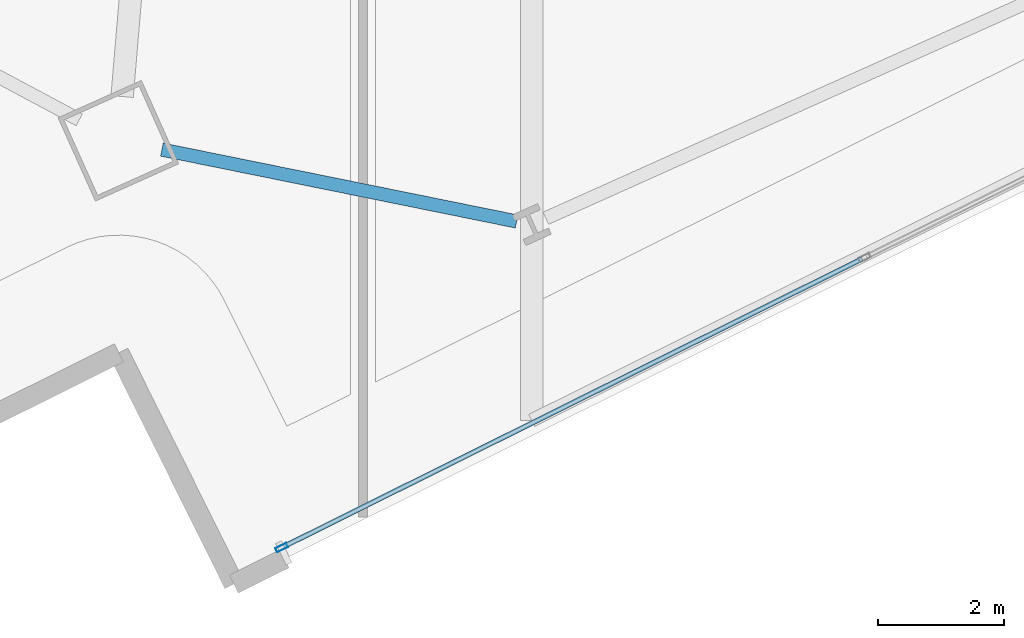
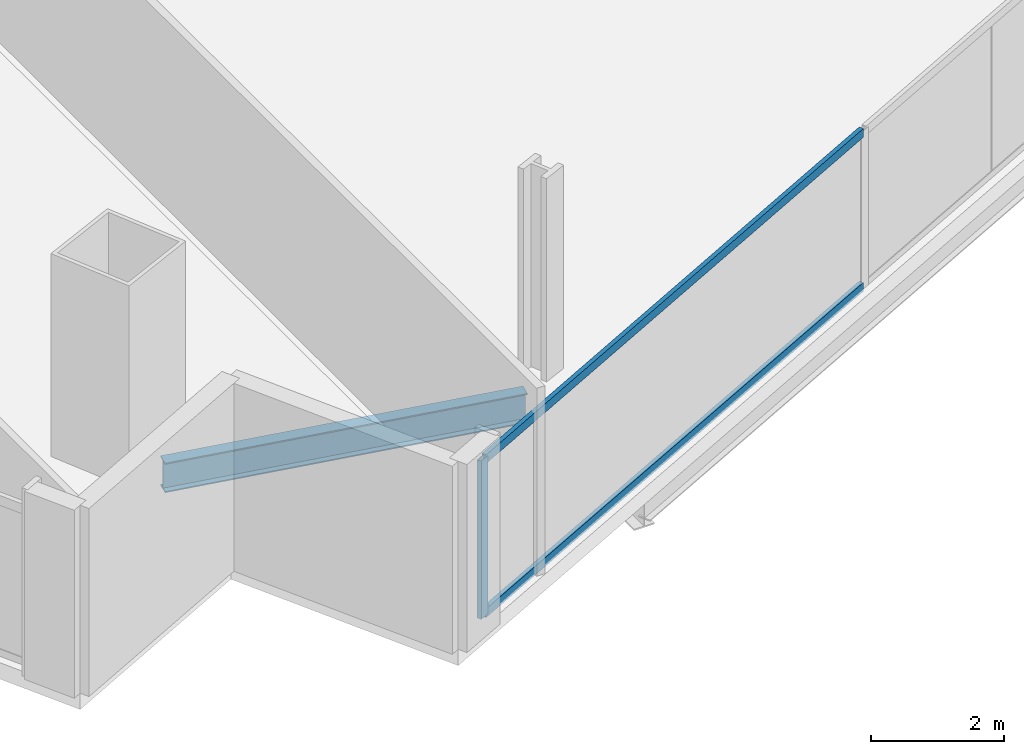
# One storey, part 3 of 35: 3 members, 1 beam, 1 element without a shape of its own.
"""IFC4 building model written with IfcOpenShell, lengths in metres."""

from ifc_helpers import new_model, si_unit, direction, frame, origin, origin_2d, place, context, subcontext, project, spatial, hollow_rectangle, i_section, extrude, material, material_profile, profile_set, type_object, element, aggregate, save


model = new_model("IFC4")

# Units and contexts
model_context = context("Model", 3, precision=1e-05, world=origin(), true_north=direction((0.0, 1.0)))
body_context = subcontext(model_context, "Body", "Model", "MODEL_VIEW")
ifc_project = project(units=[si_unit("LENGTHUNIT", "METRE"), si_unit("AREAUNIT", "SQUARE_METRE"), si_unit("VOLUMEUNIT", "CUBIC_METRE"), si_unit("PLANEANGLEUNIT", "RADIAN"), si_unit("MASSUNIT", "GRAM", prefix="KILO")], contexts=[model_context])

# Site, building, storey
site_placement = place(None, origin())
site = spatial("IfcSite", under=ifc_project, at=site_placement, CompositionType="ELEMENT")
building_placement = place(site_placement, origin())
building = spatial("IfcBuilding", under=site, at=building_placement, Name="Haldenkirk Collegiate Tower", CompositionType="ELEMENT")
storey_placement = place(building_placement, frame((0.0, 0.0, 116.699951171875)))
storey = spatial("IfcBuildingStorey", under=building, at=storey_placement, Name="L28", CompositionType="ELEMENT", Elevation=116.699951171875)

# Beam
ifc_material_1 = material(Name="Steel ASTM A992 Grade 50", Category="steel")
ifc_material_profile_1 = material_profile(ifc_material_1, i_section(OverallWidth=0.2119140625, OverallDepth=0.5439453125, WebThickness=0.01318359375, FlangeThickness=0.021240234375, at=origin_2d()), Name="W21X83")
ifc_profile_set_1 = profile_set([ifc_material_profile_1], Name="Steel ASTM A992 Grade 50")
beam_type = type_object("IfcBeamType", Name="BM-SPANDREL-W21X83", PredefinedType="SPANDREL", material=ifc_profile_set_1)
beam_placement = place(storey_placement, frame((26.3076171875, 1.477783203125, -0.572021484375), z_axis=(0.980077587146, -0.19861501246, 0.0), x_axis=(0.19861501246, 0.980077587146, 0.0)))
element("IfcBeam", 1, at=beam_placement, inside=storey, type_object=beam_type, Name="L28 perimeter spandrel beam 01", PredefinedType="SPANDREL", context=body_context, shape_type="SweptSolid", body=[
    extrude(i_section(OverallWidth=0.2119140625, OverallDepth=0.5439453125, WebThickness=0.01318359375, FlangeThickness=0.021240234375, at=origin_2d()), origin(), (0.0, 0.0, 1.0), 5.747802734375),
])

# Curtain wall, members
ifc_material_2 = material(Name="Anodised architectural bronze aluminium", Category="aluminium")
curtain_wall_type = type_object("IfcCurtainWallType", Name="CW-SYS2-CONCAVE", PredefinedType="USERDEFINED", material=ifc_material_2)
curtain_wall_placement = place(storey_placement, origin())
curtain_wall = element("IfcCurtainWall", 2, at=curtain_wall_placement, inside=storey, type_object=curtain_wall_type, Name="L28 South concave recessed bronze-anodised curtain wall", ObjectType="UNITISED CURTAIN WALL", PredefinedType="USERDEFINED")
ifc_material_profile_2 = material_profile(ifc_material_2, hollow_rectangle(XDim=0.074951171875, YDim=0.18994140625, WallThickness=0.0048828125, at=origin_2d()), Name="CW-MUL-02")
ifc_profile_set_2 = profile_set([ifc_material_profile_2], Name="Anodised architectural bronze aluminium")
member_type_1 = type_object("IfcMemberType", Name="CW-MUL-02", PredefinedType="MULLION", material=ifc_profile_set_2)
member_1_placement = place(storey_placement, frame((28.210205078125, -4.84326171875, 0.0), z_axis=(0.0, 0.0, 1.0), x_axis=(0.445415099364, -0.895324181098, 0.0)))
member_1 = element("IfcMember", 3, at=member_1_placement, type_object=member_type_1, Name="CW-02 mullion 5", PredefinedType="MULLION", context=body_context, shape_type="SweptSolid", body=[
    extrude(hollow_rectangle(XDim=0.074951171875, YDim=0.18994140625, WallThickness=0.0048828125, at=origin_2d()), origin(), (0.0, 0.0, 1.0), 2.901123046875),
])
ifc_material_profile_3 = material_profile(ifc_material_2, hollow_rectangle(XDim=0.074951171875, YDim=0.159912109375, WallThickness=0.0048828125, at=origin_2d()), Name="CW-TRN-02")
ifc_profile_set_3 = profile_set([ifc_material_profile_3], Name="Anodised architectural bronze aluminium")
member_type_2 = type_object("IfcMemberType", Name="CW-TRN-02", PredefinedType="USERDEFINED", material=ifc_profile_set_3)
member_2_placement = place(storey_placement, frame((37.431884765625, -0.25537109375, 0.03759765625), z_axis=(-0.895324632731, -0.44541419154, 0.0), x_axis=(0.44541419154, -0.895324632731, 0.0)))
member_2 = element("IfcMember", 4, at=member_2_placement, type_object=member_type_2, Name="CW-02 transom 4.1", ObjectType="TRANSOM", PredefinedType="USERDEFINED", context=body_context, shape_type="SweptSolid", body=[
    extrude(hollow_rectangle(XDim=0.074951171875, YDim=0.159912109375, WallThickness=0.0048828125, at=origin_2d()), origin(), (0.0, 0.0, 1.0), 10.262451171875),
])
member_3_placement = place(storey_placement, frame((37.431884765625, -0.25537109375, 2.863525390625), z_axis=(-0.895324632731, -0.44541419154, 0.0), x_axis=(0.44541419154, -0.895324632731, 0.0)))
member_3 = element("IfcMember", 5, at=member_3_placement, type_object=member_type_2, Name="CW-02 transom 4.2", ObjectType="TRANSOM", PredefinedType="USERDEFINED", context=body_context, shape_type="SweptSolid", body=[
    extrude(hollow_rectangle(XDim=0.074951171875, YDim=0.159912109375, WallThickness=0.0048828125, at=origin_2d()), origin(), (0.0, 0.0, 1.0), 10.262451171875),
])
aggregate(curtain_wall, [member_1, member_2, member_3])

save(model, "model.ifc")
